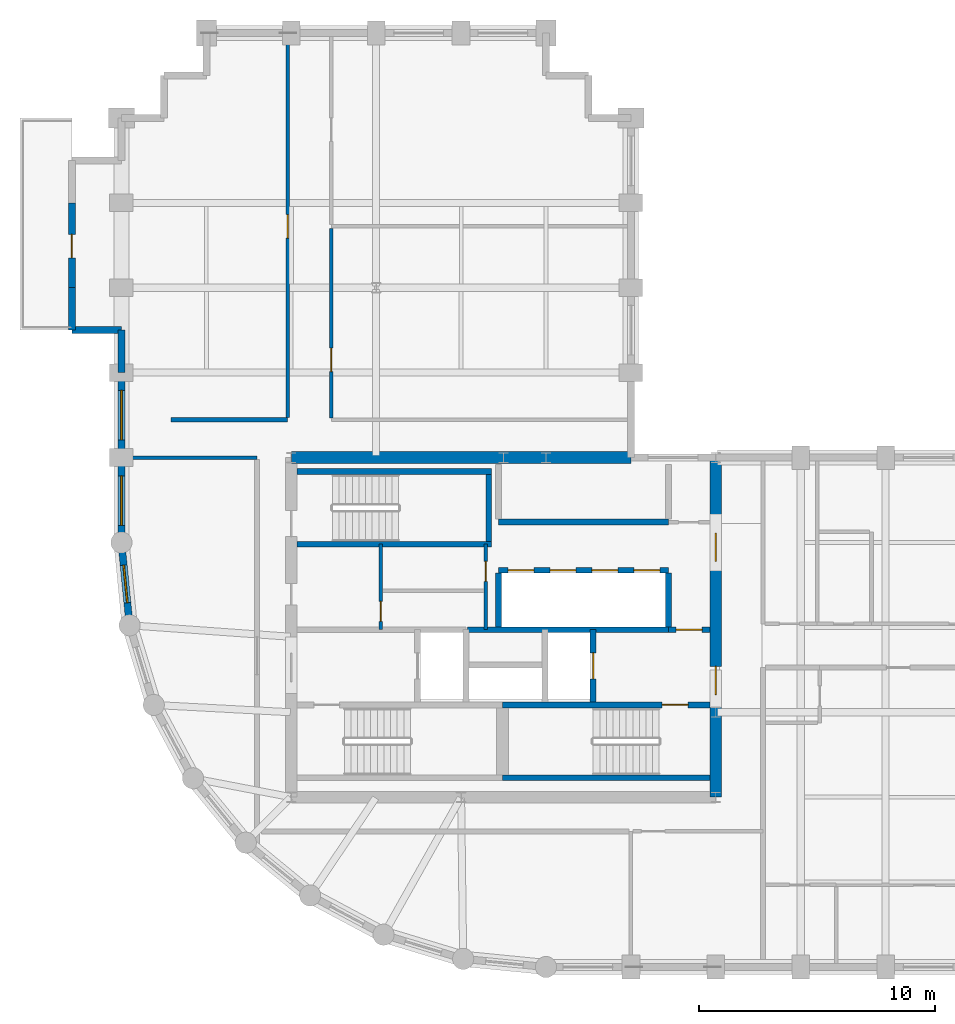
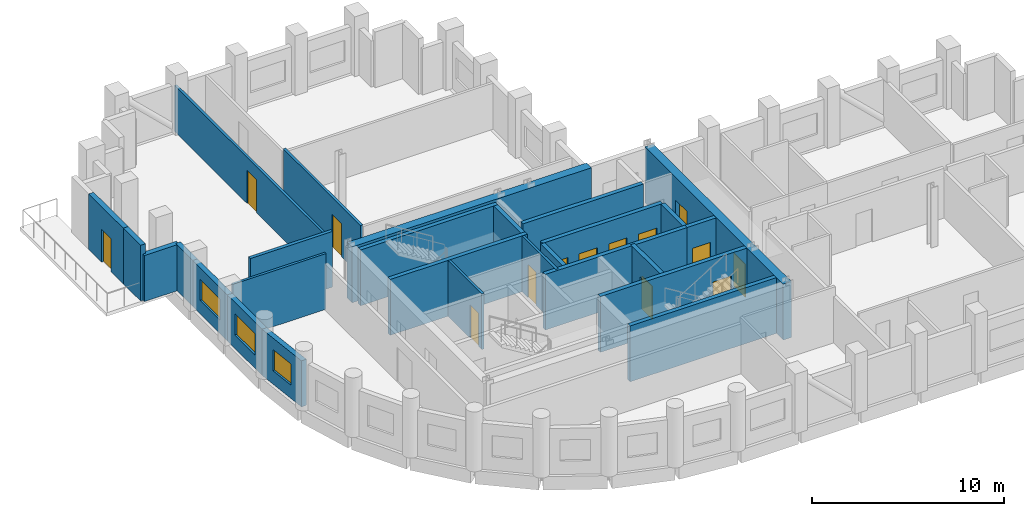
# One storey, part 4 of 9: 27 walls, 14 doors, 3 windows, 17 openings.
"""IFC4 building model written with IfcOpenShell, lengths in metres."""

from ifc_helpers import new_model, si_unit, direction, frame, frame_2d, origin, place, context, subcontext, project, spatial, rectangle, extrude, material, layer, layer_set, type_object, element, fill, save


model = new_model("IFC4")

# Units and contexts
model_context = context("Model", 3, precision=1e-05, world=origin(), true_north=direction((0.0, 1.0)))
body_context = subcontext(model_context, "Body", "Model", "MODEL_VIEW")
ifc_project = project(units=[si_unit("LENGTHUNIT", "METRE"), si_unit("AREAUNIT", "SQUARE_METRE"), si_unit("VOLUMEUNIT", "CUBIC_METRE"), si_unit("PLANEANGLEUNIT", "RADIAN"), si_unit("MASSUNIT", "GRAM", prefix="KILO")], contexts=[model_context])

# Site, building, storey
site_placement = place(None, origin())
site = spatial("IfcSite", under=ifc_project, at=site_placement, CompositionType="ELEMENT")
building_placement = place(site_placement, origin())
building = spatial("IfcBuilding", under=site, at=building_placement, Name="Solnavia Interchange Tower", CompositionType="ELEMENT")
storey_placement = place(building_placement, frame((0.0, 0.0, 154.199951171875)))
storey = spatial("IfcBuildingStorey", under=building, at=storey_placement, Name="L38", CompositionType="ELEMENT", Elevation=154.199951171875)

# Wall
ifc_material_1 = material(Name="Gypsum Acoustic Twin-Stud & Mineral Wool", Category="gypsum")
ifc_layer_1 = layer(ifc_material_1, 0.199951171875)
ifc_layer_set_1 = layer_set([ifc_layer_1], Name="Gypsum Acoustic Twin-Stud & Mineral Wool")
wall_type_1 = type_object("IfcWallType", Name="Wall-ApartmentParty-200", PredefinedType="PARTITIONING", material=ifc_layer_set_1)
wall_1_placement = place(storey_placement, frame((9.300048828125, 26.800048828125, 0.0), z_axis=(0.0, 0.0, 1.0), x_axis=(1.0, 0.0, 0.0)))
element("IfcWall", 1, at=wall_1_placement, inside=storey, type_object=wall_type_1, Name="PTW-L38-31 Interior partition wall", PredefinedType="PARTITIONING", context=body_context, shape_type="SweptSolid", body=[
    extrude(rectangle(XDim=4.949951171875, YDim=0.199951171875, at=frame_2d((2.47509765625, 0.0))), origin(), (0.0, 0.0, 1.0), 3.53515625),
])

# Wall, opening, door
ifc_material_2 = material(Name="Concrete C40/50", Category="concrete")
ifc_layer_2 = layer(ifc_material_2, 0.300048828125)
ifc_layer_set_2 = layer_set([ifc_layer_2], Name="Concrete C40/50")
wall_type_2 = type_object("IfcWallType", Name="Wall-ExtSpandrel-300", PredefinedType="STANDARD", material=ifc_layer_set_2)
wall_2_placement = place(storey_placement, frame((5.10009765625, 32.39990234375, 0.0), z_axis=(0.0, 0.0, 1.0), x_axis=(0.0, 1.0, 0.0)))
wall_2 = element("IfcWall", 2, at=wall_2_placement, inside=storey, type_object=wall_type_2, Name="EXW-L38-45 Exterior precast spandrel wall", PredefinedType="STANDARD", context=body_context, shape_type="SweptSolid", body=[
    extrude(rectangle(XDim=3.60009765625, YDim=0.300048828125, at=frame_2d((1.800048828125, 0.0))), origin(), (0.0, 0.0, 1.0), 3.53515625),
])
opening_1_placement = place(wall_2_placement, frame((1.260986328125, 0.0, 0.0)))
opening_1 = element("IfcOpeningElement", 3, at=opening_1_placement, cuts=wall_2, Name="Opening EXD-05", PredefinedType="OPENING", context=body_context, shape_type="SweptSolid", body=[
    extrude(rectangle(XDim=1.0, YDim=2.10009765625, at=frame_2d((0.5, 1.050048828125))), frame((0.0, 0.16015625, 0.0), z_axis=(0.0, -1.0, 0.0), x_axis=(1.0, 0.0, 0.0)), (0.0, 0.0, 1.0), 0.320068359375),
])
ifc_material_3 = material(Name="Thermally Broken Aluminium & Laminated Glass", Category="aluminium")
door_type_1 = type_object("IfcDoorType", Name="Door-TerraceSingle-1000x2100", OperationType="SINGLE_SWING_LEFT", PredefinedType="DOOR", material=ifc_material_3)
door_1_placement = place(opening_1_placement, origin())
door_1 = element("IfcDoor", 4, at=door_1_placement, inside=storey, type_object=door_type_1, Name="EXD-L38-TER Spiral terrace glazed door", OperationType="SINGLE_SWING_LEFT", OverallHeight=2.10009765625, OverallWidth=1.0, PredefinedType="DOOR", context=body_context, shape_type="SweptSolid", body=[
    extrude(rectangle(XDim=1.0, YDim=2.10009765625, at=frame_2d((0.5, 1.050048828125))), frame((0.0, 0.02490234375, 0.0), z_axis=(0.0, -1.0, 0.0), x_axis=(1.0, 0.0, 0.0)), (0.0, 0.0, 1.0), 0.050048828125),
])
fill(opening_1, door_1)

# Walls
wall_3_placement = place(storey_placement, frame((5.10009765625, 30.60009765625, 0.0), z_axis=(0.0, 0.0, 1.0), x_axis=(0.0, 1.0, 0.0)))
element("IfcWall", 5, at=wall_3_placement, inside=storey, type_object=wall_type_2, Name="EXW-L38-46 Exterior precast spandrel wall", PredefinedType="STANDARD", context=body_context, shape_type="SweptSolid", body=[
    extrude(rectangle(XDim=1.7998046875, YDim=0.300048828125, at=frame_2d((0.89990234375, 0.0))), origin(), (0.0, 0.0, 1.0), 3.53515625),
])
wall_4_placement = place(storey_placement, frame((5.10009765625, 30.60009765625, 0.0), z_axis=(0.0, 0.0, 1.0), x_axis=(1.0, 0.0, 0.0)))
element("IfcWall", 6, at=wall_4_placement, inside=storey, type_object=wall_type_2, Name="EXW-L38-47 Exterior precast spandrel wall", PredefinedType="STANDARD", context=body_context, shape_type="SweptSolid", body=[
    extrude(rectangle(XDim=2.099853515625, YDim=0.300048828125, at=frame_2d((1.0498046875, 0.0))), origin(), (0.0, 0.0, 1.0), 2.929931640625),
])
wall_5_placement = place(storey_placement, frame((7.199951171875, 28.800048828125, 0.0), z_axis=(0.0, 0.0, 1.0), x_axis=(0.0, 1.0, 0.0)))
element("IfcWall", 7, at=wall_5_placement, inside=storey, type_object=wall_type_2, Name="EXW-L38-48 Exterior precast spandrel wall", PredefinedType="STANDARD", context=body_context, shape_type="SweptSolid", body=[
    extrude(rectangle(XDim=1.800048828125, YDim=0.300048828125, at=frame_2d((0.89990234375, 0.0))), origin(), (0.0, 0.0, 1.0), 2.929931640625),
])

# Wall, opening, window
wall_6_placement = place(storey_placement, frame((7.199951171875, 25.199951171875, 0.0), z_axis=(0.0, 0.0, 1.0), x_axis=(0.0, 1.0, 0.0)))
wall_6 = element("IfcWall", 8, at=wall_6_placement, inside=storey, type_object=wall_type_2, Name="EXW-L38-49 Exterior precast spandrel wall", PredefinedType="STANDARD", context=body_context, shape_type="SweptSolid", body=[
    extrude(rectangle(XDim=3.60009765625, YDim=0.300048828125, at=frame_2d((1.800048828125, 0.0))), origin(), (0.0, 0.0, 1.0), 2.929931640625),
])
opening_2_placement = place(wall_6_placement, frame((0.75, 0.0, 0.85009765625)))
opening_2 = element("IfcOpeningElement", 9, at=opening_2_placement, cuts=wall_6, Name="Opening WIN-01", PredefinedType="OPENING", context=body_context, shape_type="SweptSolid", body=[
    extrude(rectangle(XDim=2.10009765625, YDim=1.35009765625, at=frame_2d((1.050048828125, 0.675048828125))), frame((0.0, 0.16015625, 0.0), z_axis=(0.0, -1.0, 0.0), x_axis=(1.0, 0.0, 0.0)), (0.0, 0.0, 1.0), 0.320068359375),
])
ifc_material_4 = material(Name="Thermal-Break Aluminium & Low-E Glass", Category="aluminium")
window_type_1 = type_object("IfcWindowType", Name="Window-Ribbon-2100x1350", PartitioningType="SINGLE_PANEL", PredefinedType="WINDOW", material=ifc_material_4)
window_1_placement = place(opening_2_placement, origin())
window_1 = element("IfcWindow", 10, at=window_1_placement, inside=storey, type_object=window_type_1, Name="WIN-L38-49 Facade ribbon window", OverallHeight=1.35009765625, OverallWidth=2.10009765625, PartitioningType="SINGLE_PANEL", PredefinedType="WINDOW", context=body_context, shape_type="SweptSolid", body=[
    extrude(rectangle(XDim=2.10009765625, YDim=1.35009765625, at=frame_2d((1.050048828125, 0.675048828125))), frame((0.0, 0.030029296875, 0.0), z_axis=(0.0, -1.0, 0.0), x_axis=(1.0, 0.0, 0.0)), (0.0, 0.0, 1.0), 0.06005859375),
])
fill(opening_2, window_1)

wall_7_placement = place(storey_placement, frame((7.199951171875, 21.60009765625, 0.0), z_axis=(0.0, 0.0, 1.0), x_axis=(0.0, 1.0, 0.0)))
wall_7 = element("IfcWall", 11, at=wall_7_placement, inside=storey, type_object=wall_type_2, Name="EXW-L38-50 Exterior precast spandrel wall", PredefinedType="STANDARD", context=body_context, shape_type="SweptSolid", body=[
    extrude(rectangle(XDim=3.599853515625, YDim=0.300048828125, at=frame_2d((1.7998046875, 0.0))), origin(), (0.0, 0.0, 1.0), 2.929931640625),
])
opening_3_placement = place(wall_7_placement, frame((0.72509765625, 0.0, 0.85009765625)))
opening_3 = element("IfcOpeningElement", 12, at=opening_3_placement, cuts=wall_7, Name="Opening WIN-01", PredefinedType="OPENING", context=body_context, shape_type="SweptSolid", body=[
    extrude(rectangle(XDim=2.10009765625, YDim=1.35009765625, at=frame_2d((1.050048828125, 0.675048828125))), frame((0.0, 0.16015625, 0.0), z_axis=(0.0, -1.0, 0.0), x_axis=(1.0, 0.0, 0.0)), (0.0, 0.0, 1.0), 0.320068359375),
])
window_2_placement = place(opening_3_placement, origin())
window_2 = element("IfcWindow", 13, at=window_2_placement, inside=storey, type_object=window_type_1, Name="WIN-L38-50 Facade ribbon window", OverallHeight=1.35009765625, OverallWidth=2.10009765625, PartitioningType="SINGLE_PANEL", PredefinedType="WINDOW", context=body_context, shape_type="SweptSolid", body=[
    extrude(rectangle(XDim=2.10009765625, YDim=1.35009765625, at=frame_2d((1.050048828125, 0.675048828125))), frame((0.0, 0.030029296875, 0.0), z_axis=(0.0, -1.0, 0.0), x_axis=(1.0, 0.0, 0.0)), (0.0, 0.0, 1.0), 0.06005859375),
])
fill(opening_3, window_2)

wall_8_placement = place(storey_placement, frame((7.5458984375, 18.087890625, 0.0), z_axis=(0.0, 0.0, 1.0), x_axis=(-0.09802417461, 0.995184033831, 0.0)))
wall_8 = element("IfcWall", 14, at=wall_8_placement, inside=storey, type_object=wall_type_2, Name="EXW-L38-51 Exterior precast spandrel wall", PredefinedType="STANDARD", context=body_context, shape_type="SweptSolid", body=[
    extrude(rectangle(XDim=3.529296875, YDim=0.300048828125, at=frame_2d((1.7646484375, 0.0))), origin(), (0.0, 0.0, 1.0), 2.929931640625),
])
opening_4_placement = place(wall_8_placement, frame((0.965087890625, 0.0, 0.85009765625)))
opening_4 = element("IfcOpeningElement", 15, at=opening_4_placement, cuts=wall_8, Name="Opening WIN-04", PredefinedType="OPENING", context=body_context, shape_type="SweptSolid", body=[
    extrude(rectangle(XDim=1.60009765625, YDim=1.35009765625, at=frame_2d((0.800048828125, 0.675048828125))), frame((0.0, 0.16015625, 0.0), z_axis=(0.0, -1.0, 0.0), x_axis=(1.0, 0.0, 0.0)), (0.0, 0.0, 1.0), 0.320068359375),
])
window_type_2 = type_object("IfcWindowType", Name="Window-Drum-1600x1350", PartitioningType="SINGLE_PANEL", PredefinedType="WINDOW", material=ifc_material_4)
window_3_placement = place(opening_4_placement, origin())
window_3 = element("IfcWindow", 16, at=window_3_placement, inside=storey, type_object=window_type_2, Name="WIN-L38-51 Facade ribbon window", OverallHeight=1.35009765625, OverallWidth=1.60009765625, PartitioningType="SINGLE_PANEL", PredefinedType="WINDOW", context=body_context, shape_type="SweptSolid", body=[
    extrude(rectangle(XDim=1.60009765625, YDim=1.35009765625, at=frame_2d((0.800048828125, 0.675048828125))), frame((0.0, 0.030029296875, 0.0), z_axis=(0.0, -1.0, 0.0), x_axis=(1.0, 0.0, 0.0)), (0.0, 0.0, 1.0), 0.06005859375),
])
fill(opening_4, window_3)

# Wall, opening, door
ifc_material_5 = material(Name="Gypsum Plasterboard & Steel Stud", Category="steel")
ifc_layer_3 = layer(ifc_material_5, 0.14990234375)
ifc_layer_set_3 = layer_set([ifc_layer_3], Name="Gypsum Plasterboard & Steel Stud")
wall_type_3 = type_object("IfcWallType", Name="Wall-Partition-150", PredefinedType="PARTITIONING", material=ifc_layer_set_3)
wall_9_placement = place(storey_placement, frame((22.64990234375, 17.89990234375, 0.0), z_axis=(0.0, 0.0, 1.0), x_axis=(0.0, 1.0, 0.0)))
wall_9 = element("IfcWall", 17, at=wall_9_placement, inside=storey, type_object=wall_type_3, Name="CSW-L38-E Core shaft wall", PredefinedType="PARTITIONING", context=body_context, shape_type="SweptSolid", body=[
    extrude(rectangle(XDim=3.625, YDim=0.14990234375, at=frame_2d((1.8125, 0.0))), origin(), (0.0, 0.0, 1.0), 3.53515625),
])
opening_5_placement = place(wall_9_placement, frame((2.050048828125, 0.0, 0.0)))
opening_5 = element("IfcOpeningElement", 18, at=opening_5_placement, cuts=wall_9, Name="Opening DR-10", PredefinedType="OPENING", context=body_context, shape_type="SweptSolid", body=[
    extrude(rectangle(XDim=0.85009765625, YDim=2.10009765625, at=frame_2d((0.425048828125, 1.050048828125))), frame((0.0, 0.0849609375, 0.0), z_axis=(0.0, -1.0, 0.0), x_axis=(1.0, 0.0, 0.0)), (0.0, 0.0, 1.0), 0.169921875),
])
ifc_material_6 = material(Name="Moisture-Resistant Timber Door", Category="wood")
door_type_2 = type_object("IfcDoorType", Name="Door-Bathroom-850x2100", OperationType="SINGLE_SWING_RIGHT", PredefinedType="DOOR", material=ifc_material_6)
door_2_placement = place(opening_5_placement, origin())
door_2 = element("IfcDoor", 19, at=door_2_placement, inside=storey, type_object=door_type_2, Name="DR-L38-CS3 Core fire door", OperationType="SINGLE_SWING_LEFT", OverallHeight=2.10009765625, OverallWidth=0.85009765625, PredefinedType="DOOR", context=body_context, shape_type="SweptSolid", body=[
    extrude(rectangle(XDim=0.85009765625, YDim=2.10009765625, at=frame_2d((0.425048828125, 1.050048828125))), frame((0.0, 0.02490234375, 0.0), z_axis=(0.0, -1.0, 0.0), x_axis=(1.0, 0.0, 0.0)), (0.0, 0.0, 1.0), 0.050048828125),
])
fill(opening_5, door_2)

wall_10_placement = place(storey_placement, frame((18.199951171875, 17.89990234375, 0.0), z_axis=(0.0, 0.0, 1.0), x_axis=(0.0, 1.0, 0.0)))
wall_10 = element("IfcWall", 20, at=wall_10_placement, inside=storey, type_object=wall_type_3, Name="CSW-L38-M1 Core shaft wall", PredefinedType="PARTITIONING", context=body_context, shape_type="SweptSolid", body=[
    extrude(rectangle(XDim=3.625, YDim=0.14990234375, at=frame_2d((1.8125, 0.0))), origin(), (0.0, 0.0, 1.0), 3.53515625),
])
opening_6_placement = place(wall_10_placement, frame((0.35009765625, 0.0, 0.0)))
opening_6 = element("IfcOpeningElement", 21, at=opening_6_placement, cuts=wall_10, Name="Opening DR-10", PredefinedType="OPENING", context=body_context, shape_type="SweptSolid", body=[
    extrude(rectangle(XDim=0.85009765625, YDim=2.10009765625, at=frame_2d((0.425048828125, 1.050048828125))), frame((0.0, 0.0849609375, 0.0), z_axis=(0.0, -1.0, 0.0), x_axis=(1.0, 0.0, 0.0)), (0.0, 0.0, 1.0), 0.169921875),
])
door_3_placement = place(opening_6_placement, origin())
door_3 = element("IfcDoor", 22, at=door_3_placement, inside=storey, type_object=door_type_2, Name="DR-L38-CS2 Core fire door", OperationType="SINGLE_SWING_LEFT", OverallHeight=2.10009765625, OverallWidth=0.85009765625, PredefinedType="DOOR", context=body_context, shape_type="SweptSolid", body=[
    extrude(rectangle(XDim=0.85009765625, YDim=2.10009765625, at=frame_2d((0.425048828125, 1.050048828125))), frame((0.0, 0.02490234375, 0.0), z_axis=(0.0, -1.0, 0.0), x_axis=(1.0, 0.0, 0.0)), (0.0, 0.0, 1.0), 0.050048828125),
])
fill(opening_6, door_3)

# Wall
wall_11_placement = place(storey_placement, frame((7.35400390625, 25.199951171875, 0.0), z_axis=(0.0, 0.0, 1.0), x_axis=(1.0, 0.0, 0.0)))
element("IfcWall", 23, at=wall_11_placement, inside=storey, type_object=wall_type_3, Name="PTW-L38-07 Interior partition wall", PredefinedType="PARTITIONING", context=body_context, shape_type="SweptSolid", body=[
    extrude(rectangle(XDim=5.595947265625, YDim=0.14990234375, at=frame_2d((2.7978515625, 0.0))), origin(), (0.0, 0.0, 1.0), 3.53515625),
])

# Wall, opening, door
wall_12_placement = place(storey_placement, frame((14.25, 26.904052734375, 0.0), z_axis=(0.0, 0.0, 1.0), x_axis=(0.0, 1.0, 0.0)))
wall_12 = element("IfcWall", 24, at=wall_12_placement, inside=storey, type_object=wall_type_3, Name="PTW-L38-32 Interior partition wall", PredefinedType="PARTITIONING", context=body_context, shape_type="SweptSolid", body=[
    extrude(rectangle(XDim=16.141845703125, YDim=0.14990234375, at=frame_2d((8.07080078125, 0.0))), origin(), (0.0, 0.0, 1.0), 2.929931640625),
])
opening_7_placement = place(wall_12_placement, frame((7.595947265625, 0.0, 0.0)))
opening_7 = element("IfcOpeningElement", 25, at=opening_7_placement, cuts=wall_12, Name="Opening DR-07", PredefinedType="OPENING", context=body_context, shape_type="SweptSolid", body=[
    extrude(rectangle(XDim=1.0, YDim=2.10009765625, at=frame_2d((0.5, 1.050048828125))), frame((0.0, 0.0849609375, 0.0), z_axis=(0.0, -1.0, 0.0), x_axis=(1.0, 0.0, 0.0)), (0.0, 0.0, 1.0), 0.169921875),
])
ifc_material_7 = material(Name="Timber & Acoustic Glazed Office Door", Category="wood")
door_type_3 = type_object("IfcDoorType", Name="Door-Office-1000x2100", OperationType="SINGLE_SWING_RIGHT", PredefinedType="DOOR", material=ifc_material_7)
door_4_placement = place(opening_7_placement, origin())
door_4 = element("IfcDoor", 26, at=door_4_placement, inside=storey, type_object=door_type_3, Name="DR-L38-15 Interior room door", OperationType="SINGLE_SWING_RIGHT", OverallHeight=2.10009765625, OverallWidth=1.0, PredefinedType="DOOR", context=body_context, shape_type="SweptSolid", body=[
    extrude(rectangle(XDim=1.0, YDim=2.10009765625, at=frame_2d((0.5, 1.050048828125))), frame((0.0, 0.02490234375, 0.0), z_axis=(0.0, -1.0, 0.0), x_axis=(1.0, 0.0, 0.0)), (0.0, 0.0, 1.0), 0.050048828125),
])
fill(opening_7, door_4)

wall_13_placement = place(storey_placement, frame((16.10009765625, 26.87890625, 0.0), z_axis=(0.0, 0.0, 1.0), x_axis=(0.0, 1.0, 0.0)))
wall_13 = element("IfcWall", 27, at=wall_13_placement, inside=storey, type_object=wall_type_3, Name="PTW-L38-35 Interior partition wall", PredefinedType="PARTITIONING", context=body_context, shape_type="SweptSolid", body=[
    extrude(rectangle(XDim=8.0419921875, YDim=0.14990234375, at=frame_2d((4.02099609375, 0.0))), origin(), (0.0, 0.0, 1.0), 3.170166015625),
])
opening_8_placement = place(wall_13_placement, frame((1.9609375, 0.0, 0.0)))
opening_8 = element("IfcOpeningElement", 28, at=opening_8_placement, cuts=wall_13, Name="Opening DR-07", PredefinedType="OPENING", context=body_context, shape_type="SweptSolid", body=[
    extrude(rectangle(XDim=1.0, YDim=2.10009765625, at=frame_2d((0.5, 1.050048828125))), frame((0.0, 0.0849609375, 0.0), z_axis=(0.0, -1.0, 0.0), x_axis=(1.0, 0.0, 0.0)), (0.0, 0.0, 1.0), 0.169921875),
])
door_5_placement = place(opening_8_placement, origin())
door_5 = element("IfcDoor", 29, at=door_5_placement, inside=storey, type_object=door_type_3, Name="DR-L38-16 Interior room door", OperationType="SINGLE_SWING_LEFT", OverallHeight=2.10009765625, OverallWidth=1.0, PredefinedType="DOOR", context=body_context, shape_type="SweptSolid", body=[
    extrude(rectangle(XDim=1.0, YDim=2.10009765625, at=frame_2d((0.5, 1.050048828125))), frame((0.0, 0.02490234375, 0.0), z_axis=(0.0, -1.0, 0.0), x_axis=(1.0, 0.0, 0.0)), (0.0, 0.0, 1.0), 0.050048828125),
])
fill(opening_8, door_5)

# Wall
ifc_layer_4 = layer(ifc_material_2, 0.25)
ifc_layer_set_4 = layer_set([ifc_layer_4], Name="Concrete C40/50")
wall_type_4 = type_object("IfcWallType", Name="Wall-ShaftCore-250", PredefinedType="SHEAR", material=ifc_layer_set_4)
wall_14_placement = place(storey_placement, frame((23.35009765625, 11.625, 0.0), z_axis=(0.0, 0.0, 1.0), x_axis=(1.0, 0.0, 0.0)))
element("IfcWall", 30, at=wall_14_placement, inside=storey, type_object=wall_type_4, Name="SHW-L38-ST2S Core shear wall", PredefinedType="SHEAR", context=body_context, shape_type="SweptSolid", body=[
    extrude(rectangle(XDim=8.7998046875, YDim=0.25, at=frame_2d((4.39990234375, 0.0))), origin(), (0.0, 0.0, 1.0), 3.550048828125),
])

# Wall, opening, door
wall_15_placement = place(storey_placement, frame((23.35009765625, 14.715087890625, 0.0), z_axis=(0.0, 0.0, 1.0), x_axis=(1.0, 0.0, 0.0)))
wall_15 = element("IfcWall", 31, at=wall_15_placement, inside=storey, type_object=wall_type_4, Name="SHW-L38-ST2N Core shear wall", PredefinedType="SHEAR", context=body_context, shape_type="SweptSolid", body=[
    extrude(rectangle(XDim=8.7998046875, YDim=0.25, at=frame_2d((4.39990234375, 0.0))), origin(), (0.0, 0.0, 1.0), 3.550048828125),
])
opening_9_placement = place(wall_15_placement, frame((6.77490234375, 0.0, 0.0)))
opening_9 = element("IfcOpeningElement", 32, at=opening_9_placement, cuts=wall_15, Name="Opening DR-01", PredefinedType="OPENING", context=body_context, shape_type="SweptSolid", body=[
    extrude(rectangle(XDim=1.10009765625, YDim=2.10009765625, at=frame_2d((0.550048828125, 1.050048828125))), frame((0.0, 0.135009765625, 0.0), z_axis=(0.0, -1.0, 0.0), x_axis=(1.0, 0.0, 0.0)), (0.0, 0.0, 1.0), 0.27001953125),
])
ifc_material_8 = material(Name="Steel Fire-Rated Leaf & Frame", Category="steel")
door_type_4 = type_object("IfcDoorType", Name="Door-StairFire-1100x2100", OperationType="SINGLE_SWING_LEFT", PredefinedType="DOOR", material=ifc_material_8)
door_6_placement = place(opening_9_placement, origin())
door_6 = element("IfcDoor", 33, at=door_6_placement, inside=storey, type_object=door_type_4, Name="DR-L38-ST2 Core fire door", OperationType="SINGLE_SWING_LEFT", OverallHeight=2.10009765625, OverallWidth=1.10009765625, PredefinedType="DOOR", context=body_context, shape_type="SweptSolid", body=[
    extrude(rectangle(XDim=1.10009765625, YDim=2.10009765625, at=frame_2d((0.550048828125, 1.050048828125))), frame((0.0, 0.02490234375, 0.0), z_axis=(0.0, -1.0, 0.0), x_axis=(1.0, 0.0, 0.0)), (0.0, 0.0, 1.0), 0.050048828125),
])
fill(opening_9, door_6)

# Walls
for number, where, z_axis, x_axis, name in (
    (34, (14.64990234375, 21.52490234375, 0.0), (0.0, 0.0, 1.0), (1.0, 0.0, 0.0), "SHW-L38-ST3S Core shear wall"),
    (35, (14.64990234375, 24.614990234375, 0.0), (0.0, 0.0, 1.0), (1.0, 0.0, 0.0), "SHW-L38-ST3N Core shear wall"),
):
    element("IfcWall", number, at=place(storey_placement, frame(where, z_axis=z_axis, x_axis=x_axis)), inside=storey, type_object=wall_type_4, Name=name, PredefinedType="SHEAR", context=body_context, shape_type="SweptSolid", body=[
        extrude(rectangle(XDim=8.25, YDim=0.25, at=frame_2d((4.125, 0.0))), origin(), (0.0, 0.0, 1.0), 3.550048828125),
    ])
wall_16_placement = place(storey_placement, frame((22.77490234375, 21.64990234375, 0.0), z_axis=(0.0, 0.0, 1.0), x_axis=(0.0, 1.0, 0.0)))
element("IfcWall", 36, at=wall_16_placement, inside=storey, type_object=wall_type_4, Name="SHW-L38-ST3E Core shear wall", PredefinedType="SHEAR", context=body_context, shape_type="SweptSolid", body=[
    extrude(rectangle(XDim=2.840087890625, YDim=0.25, at=frame_2d((1.419921875, 0.0))), origin(), (0.0, 0.0, 1.0), 3.550048828125),
])
ifc_layer_5 = layer(ifc_material_2, 0.25)
ifc_layer_set_5 = layer_set([ifc_layer_5], Name="Concrete C40/50")
wall_type_5 = type_object("IfcWallType", Name="Wall-ShaftPart-250", PredefinedType="PARTITIONING", material=ifc_layer_set_5)
wall_17_placement = place(storey_placement, frame((21.8798828125, 17.89990234375, 0.0), z_axis=(0.0, 0.0, 1.0), x_axis=(1.0, 0.0, 0.0)))
element("IfcWall", 37, at=wall_17_placement, inside=storey, type_object=wall_type_5, Name="SHW-L38-FFLE-N1 Core shaft wall", PredefinedType="PARTITIONING", context=body_context, shape_type="SweptSolid", body=[
    extrude(rectangle(XDim=8.52001953125, YDim=0.25, at=frame_2d((4.260009765625, 0.0))), origin(), (0.0, 0.0, 1.0), 3.53515625),
])

# Wall, opening, door
wall_18_placement = place(storey_placement, frame((30.39990234375, 17.89990234375, 0.0), z_axis=(0.0, 0.0, 1.0), x_axis=(1.0, 0.0, 0.0)))
wall_18 = element("IfcWall", 38, at=wall_18_placement, inside=storey, type_object=wall_type_5, Name="SHW-L38-FFLE-N2 Core shaft wall", PredefinedType="PARTITIONING", context=body_context, shape_type="SweptSolid", body=[
    extrude(rectangle(XDim=1.75, YDim=0.25, at=frame_2d((0.875, 0.0))), origin(), (0.0, 0.0, 1.0), 3.53515625),
])
opening_10_placement = place(wall_18_placement, frame((0.320068359375, 0.0, 0.0)))
opening_10 = element("IfcOpeningElement", 39, at=opening_10_placement, cuts=wall_18, Name="Opening DR-01", PredefinedType="OPENING", context=body_context, shape_type="SweptSolid", body=[
    extrude(rectangle(XDim=1.10009765625, YDim=2.10009765625, at=frame_2d((0.550048828125, 1.050048828125))), frame((0.0, 0.135009765625, 0.0), z_axis=(0.0, -1.0, 0.0), x_axis=(1.0, 0.0, 0.0)), (0.0, 0.0, 1.0), 0.27001953125),
])
door_7_placement = place(opening_10_placement, origin())
door_7 = element("IfcDoor", 40, at=door_7_placement, inside=storey, type_object=door_type_4, Name="DR-L38-LLC Core fire door", OperationType="SINGLE_SWING_LEFT", OverallHeight=2.10009765625, OverallWidth=1.10009765625, PredefinedType="DOOR", context=body_context, shape_type="SweptSolid", body=[
    extrude(rectangle(XDim=1.10009765625, YDim=2.10009765625, at=frame_2d((0.550048828125, 1.050048828125))), frame((0.0, 0.02490234375, 0.0), z_axis=(0.0, -1.0, 0.0), x_axis=(1.0, 0.0, 0.0)), (0.0, 0.0, 1.0), 0.050048828125),
])
fill(opening_10, door_7)

wall_19_placement = place(storey_placement, frame((27.199951171875, 14.840087890625, 0.0), z_axis=(0.0, 0.0, 1.0), x_axis=(0.0, 1.0, 0.0)))
wall_19 = element("IfcWall", 41, at=wall_19_placement, inside=storey, type_object=wall_type_5, Name="SHW-L38-FFL2-E Core shaft wall", PredefinedType="PARTITIONING", context=body_context, shape_type="SweptSolid", body=[
    extrude(rectangle(XDim=3.059814453125, YDim=0.25, at=frame_2d((1.52978515625, 0.0))), origin(), (0.0, 0.0, 1.0), 3.53515625),
])
opening_11_placement = place(wall_19_placement, frame((0.97998046875, 0.0, 0.0)))
opening_11 = element("IfcOpeningElement", 42, at=opening_11_placement, cuts=wall_19, Name="Opening LD-01", PredefinedType="OPENING", context=body_context, shape_type="SweptSolid", body=[
    extrude(rectangle(XDim=1.10009765625, YDim=2.10009765625, at=frame_2d((0.550048828125, 1.050048828125))), frame((0.0, 0.135009765625, 0.0), z_axis=(0.0, -1.0, 0.0), x_axis=(1.0, 0.0, 0.0)), (0.0, 0.0, 1.0), 0.27001953125),
])
ifc_material_9 = material(Name="Brushed Stainless Steel Sliding Door", Category="steel")
door_type_5 = type_object("IfcDoorType", Name="Door-LiftLanding-1100x2100", OperationType="SLIDING_TO_LEFT", PredefinedType="DOOR", material=ifc_material_9)
door_8_placement = place(opening_11_placement, origin())
door_8 = element("IfcDoor", 43, at=door_8_placement, inside=storey, type_object=door_type_5, Name="LD-L38-FFL2 Lift landing sliding door", OperationType="SLIDING_TO_LEFT", OverallHeight=2.10009765625, OverallWidth=1.10009765625, PredefinedType="DOOR", context=body_context, shape_type="SweptSolid", body=[
    extrude(rectangle(XDim=1.10009765625, YDim=2.10009765625, at=frame_2d((0.550048828125, 1.050048828125))), frame((0.0, 0.02490234375, 0.0), z_axis=(0.0, -1.0, 0.0), x_axis=(1.0, 0.0, 0.0)), (0.0, 0.0, 1.0), 0.050048828125),
])
fill(opening_11, door_8)

# Wall, openings, doors
wall_20_placement = place(storey_placement, frame((23.179931640625, 20.419921875, 0.0), z_axis=(0.0, 0.0, 1.0), x_axis=(1.0, 0.0, 0.0)))
wall_20 = element("IfcWall", 44, at=wall_20_placement, inside=storey, type_object=wall_type_5, Name="SHW-L38-B2N Core shaft wall", PredefinedType="PARTITIONING", context=body_context, shape_type="SweptSolid", body=[
    extrude(rectangle(XDim=7.219970703125, YDim=0.25, at=frame_2d((3.60986328125, 0.0))), origin(), (0.0, 0.0, 1.0), 3.53515625),
])
opening_12_placement = place(wall_20_placement, frame((0.409912109375, 0.0, 0.0)))
opening_12 = element("IfcOpeningElement", 45, at=opening_12_placement, cuts=wall_20, Name="Opening LD-01", PredefinedType="OPENING", context=body_context, shape_type="SweptSolid", body=[
    extrude(rectangle(XDim=1.10009765625, YDim=2.10009765625, at=frame_2d((0.550048828125, 1.050048828125))), frame((0.0, 0.135009765625, 0.0), z_axis=(0.0, -1.0, 0.0), x_axis=(1.0, 0.0, 0.0)), (0.0, 0.0, 1.0), 0.27001953125),
])
opening_13_placement = place(wall_20_placement, frame((2.18994140625, 0.0, 0.0)))
opening_13 = element("IfcOpeningElement", 46, at=opening_13_placement, cuts=wall_20, Name="Opening LD-01", PredefinedType="OPENING", context=body_context, shape_type="SweptSolid", body=[
    extrude(rectangle(XDim=1.10009765625, YDim=2.10009765625, at=frame_2d((0.550048828125, 1.050048828125))), frame((0.0, 0.135009765625, 0.0), z_axis=(0.0, -1.0, 0.0), x_axis=(1.0, 0.0, 0.0)), (0.0, 0.0, 1.0), 0.27001953125),
])
opening_14_placement = place(wall_20_placement, frame((3.969970703125, 0.0, 0.0)))
opening_14 = element("IfcOpeningElement", 47, at=opening_14_placement, cuts=wall_20, Name="Opening LD-01", PredefinedType="OPENING", context=body_context, shape_type="SweptSolid", body=[
    extrude(rectangle(XDim=1.10009765625, YDim=2.10009765625, at=frame_2d((0.550048828125, 1.050048828125))), frame((0.0, 0.135009765625, 0.0), z_axis=(0.0, -1.0, 0.0), x_axis=(1.0, 0.0, 0.0)), (0.0, 0.0, 1.0), 0.27001953125),
])
opening_15_placement = place(wall_20_placement, frame((5.75, 0.0, 0.0)))
opening_15 = element("IfcOpeningElement", 48, at=opening_15_placement, cuts=wall_20, Name="Opening LD-01", PredefinedType="OPENING", context=body_context, shape_type="SweptSolid", body=[
    extrude(rectangle(XDim=1.10009765625, YDim=2.10009765625, at=frame_2d((0.550048828125, 1.050048828125))), frame((0.0, 0.135009765625, 0.0), z_axis=(0.0, -1.0, 0.0), x_axis=(1.0, 0.0, 0.0)), (0.0, 0.0, 1.0), 0.27001953125),
])
door_9_placement = place(opening_12_placement, origin())
door_9 = element("IfcDoor", 49, at=door_9_placement, inside=storey, type_object=door_type_5, Name="LD-L38-B2-1 Lift landing sliding door", OperationType="SLIDING_TO_LEFT", OverallHeight=2.10009765625, OverallWidth=1.10009765625, PredefinedType="DOOR", context=body_context, shape_type="SweptSolid", body=[
    extrude(rectangle(XDim=1.10009765625, YDim=2.10009765625, at=frame_2d((0.550048828125, 1.050048828125))), frame((0.0, 0.02490234375, 0.0), z_axis=(0.0, -1.0, 0.0), x_axis=(1.0, 0.0, 0.0)), (0.0, 0.0, 1.0), 0.050048828125),
])
fill(opening_12, door_9)
door_10_placement = place(opening_13_placement, origin())
door_10 = element("IfcDoor", 50, at=door_10_placement, inside=storey, type_object=door_type_5, Name="LD-L38-B2-2 Lift landing sliding door", OperationType="SLIDING_TO_LEFT", OverallHeight=2.10009765625, OverallWidth=1.10009765625, PredefinedType="DOOR", context=body_context, shape_type="SweptSolid", body=[
    extrude(rectangle(XDim=1.10009765625, YDim=2.10009765625, at=frame_2d((0.550048828125, 1.050048828125))), frame((0.0, 0.02490234375, 0.0), z_axis=(0.0, -1.0, 0.0), x_axis=(1.0, 0.0, 0.0)), (0.0, 0.0, 1.0), 0.050048828125),
])
fill(opening_13, door_10)
door_11_placement = place(opening_14_placement, origin())
door_11 = element("IfcDoor", 51, at=door_11_placement, inside=storey, type_object=door_type_5, Name="LD-L38-B2-3 Lift landing sliding door", OperationType="SLIDING_TO_LEFT", OverallHeight=2.10009765625, OverallWidth=1.10009765625, PredefinedType="DOOR", context=body_context, shape_type="SweptSolid", body=[
    extrude(rectangle(XDim=1.10009765625, YDim=2.10009765625, at=frame_2d((0.550048828125, 1.050048828125))), frame((0.0, 0.02490234375, 0.0), z_axis=(0.0, -1.0, 0.0), x_axis=(1.0, 0.0, 0.0)), (0.0, 0.0, 1.0), 0.050048828125),
])
fill(opening_14, door_11)
door_12_placement = place(opening_15_placement, origin())
door_12 = element("IfcDoor", 52, at=door_12_placement, inside=storey, type_object=door_type_5, Name="LD-L38-B2-4 Lift landing sliding door", OperationType="SLIDING_TO_LEFT", OverallHeight=2.10009765625, OverallWidth=1.10009765625, PredefinedType="DOOR", context=body_context, shape_type="SweptSolid", body=[
    extrude(rectangle(XDim=1.10009765625, YDim=2.10009765625, at=frame_2d((0.550048828125, 1.050048828125))), frame((0.0, 0.02490234375, 0.0), z_axis=(0.0, -1.0, 0.0), x_axis=(1.0, 0.0, 0.0)), (0.0, 0.0, 1.0), 0.050048828125),
])
fill(opening_15, door_12)

# Walls
for number, where, z_axis, x_axis, name in (
    (53, (23.179931640625, 18.02490234375, 0.0), (0.0, 0.0, 1.0), (0.0, 1.0, 0.0), "SHW-L38-B2W Core shaft wall"),
    (54, (30.39990234375, 18.02490234375, 0.0), (0.0, 0.0, 1.0), (0.0, 1.0, 0.0), "SHW-L38-B2E Core shaft wall"),
):
    element("IfcWall", number, at=place(storey_placement, frame(where, z_axis=z_axis, x_axis=x_axis)), inside=storey, type_object=wall_type_5, Name=name, PredefinedType="PARTITIONING", context=body_context, shape_type="SweptSolid", body=[
        extrude(rectangle(XDim=2.27001953125, YDim=0.25, at=frame_2d((1.135009765625, 0.0))), origin(), (0.0, 0.0, 1.0), 3.53515625),
    ])
wall_21_placement = place(storey_placement, frame((23.179931640625, 22.4599609375, 0.0), z_axis=(0.0, 0.0, 1.0), x_axis=(1.0, 0.0, 0.0)))
element("IfcWall", 55, at=wall_21_placement, inside=storey, type_object=wall_type_5, Name="SHW-L38-B3S Core shaft wall", PredefinedType="PARTITIONING", context=body_context, shape_type="SweptSolid", body=[
    extrude(rectangle(XDim=7.219970703125, YDim=0.25, at=frame_2d((3.60986328125, 0.0))), origin(), (0.0, 0.0, 1.0), 3.53515625),
])
ifc_material_10 = material(Name="Concrete C60/75", Category="concrete")
ifc_layer_6 = layer(ifc_material_10, 0.5)
ifc_layer_set_6 = layer_set([ifc_layer_6], Name="Concrete C60/75")
wall_type_6 = type_object("IfcWallType", Name="Wall-ShearCore-500", PredefinedType="SHEAR", material=ifc_layer_set_6)
wall_22_placement = place(storey_placement, frame((14.39990234375, 25.199951171875, 0.0), z_axis=(0.0, 0.0, 1.0), x_axis=(1.0, 0.0, 0.0)))
element("IfcWall", 56, at=wall_22_placement, inside=storey, type_object=wall_type_6, Name="CRW-L38-N Core shear wall", PredefinedType="SHEAR", context=body_context, shape_type="SweptSolid", body=[
    extrude(rectangle(XDim=14.400146484375, YDim=0.5, at=frame_2d((7.2001953125, 0.0))), origin(), (0.0, 0.0, 1.0), 3.550048828125),
])

# Wall, openings, doors
wall_23_placement = place(storey_placement, frame((32.39990234375, 10.800048828125, 0.0), z_axis=(0.0, 0.0, 1.0), x_axis=(0.0, 1.0, 0.0)))
wall_23 = element("IfcWall", 57, at=wall_23_placement, inside=storey, type_object=wall_type_6, Name="CRW-L38-E Core shear wall", PredefinedType="SHEAR", context=body_context, shape_type="SweptSolid", body=[
    extrude(rectangle(XDim=14.39990234375, YDim=0.5, at=frame_2d((7.199951171875, 0.0))), origin(), (0.0, 0.0, 1.0), 3.550048828125),
])
opening_16_placement = place(wall_23_placement, frame((4.35009765625, 0.0, 0.0)))
opening_16 = element("IfcOpeningElement", 58, at=opening_16_placement, cuts=wall_23, Name="Opening DR-02", PredefinedType="OPENING", context=body_context, shape_type="SweptSolid", body=[
    extrude(rectangle(XDim=1.199951171875, YDim=2.10009765625, at=frame_2d((0.60009765625, 1.050048828125))), frame((0.0, 0.260009765625, 0.0), z_axis=(0.0, -1.0, 0.0), x_axis=(1.0, 0.0, 0.0)), (0.0, 0.0, 1.0), 0.52001953125),
])
opening_17_placement = place(wall_23_placement, frame((10.0, 0.0, 0.0)))
opening_17 = element("IfcOpeningElement", 59, at=opening_17_placement, cuts=wall_23, Name="Opening DR-02", PredefinedType="OPENING", context=body_context, shape_type="SweptSolid", body=[
    extrude(rectangle(XDim=1.199951171875, YDim=2.10009765625, at=frame_2d((0.60009765625, 1.050048828125))), frame((0.0, 0.260009765625, 0.0), z_axis=(0.0, -1.0, 0.0), x_axis=(1.0, 0.0, 0.0)), (0.0, 0.0, 1.0), 0.52001953125),
])
ifc_material_11 = material(Name="Steel Fire-Rated Vision-Panel Door", Category="steel")
door_type_6 = type_object("IfcDoorType", Name="Door-LobbyFire-1200x2100", OperationType="SINGLE_SWING_RIGHT", PredefinedType="DOOR", material=ifc_material_11)
door_13_placement = place(opening_16_placement, origin())
door_13 = element("IfcDoor", 60, at=door_13_placement, inside=storey, type_object=door_type_6, Name="DR-L38-FFL2E Core fire door", OperationType="SINGLE_SWING_LEFT", OverallHeight=2.10009765625, OverallWidth=1.199951171875, PredefinedType="DOOR", context=body_context, shape_type="SweptSolid", body=[
    extrude(rectangle(XDim=1.199951171875, YDim=2.10009765625, at=frame_2d((0.60009765625, 1.050048828125))), frame((0.0, 0.02490234375, 0.0), z_axis=(0.0, -1.0, 0.0), x_axis=(1.0, 0.0, 0.0)), (0.0, 0.0, 1.0), 0.050048828125),
])
fill(opening_16, door_13)
door_14_placement = place(opening_17_placement, origin())
door_14 = element("IfcDoor", 61, at=door_14_placement, inside=storey, type_object=door_type_6, Name="DR-L38-LLE Core fire door", OperationType="SINGLE_SWING_RIGHT", OverallHeight=2.10009765625, OverallWidth=1.199951171875, PredefinedType="DOOR", context=body_context, shape_type="SweptSolid", body=[
    extrude(rectangle(XDim=1.199951171875, YDim=2.10009765625, at=frame_2d((0.60009765625, 1.050048828125))), frame((0.0, 0.02490234375, 0.0), z_axis=(0.0, -1.0, 0.0), x_axis=(1.0, 0.0, 0.0)), (0.0, 0.0, 1.0), 0.050048828125),
])
fill(opening_17, door_14)

save(model, "model.ifc")
